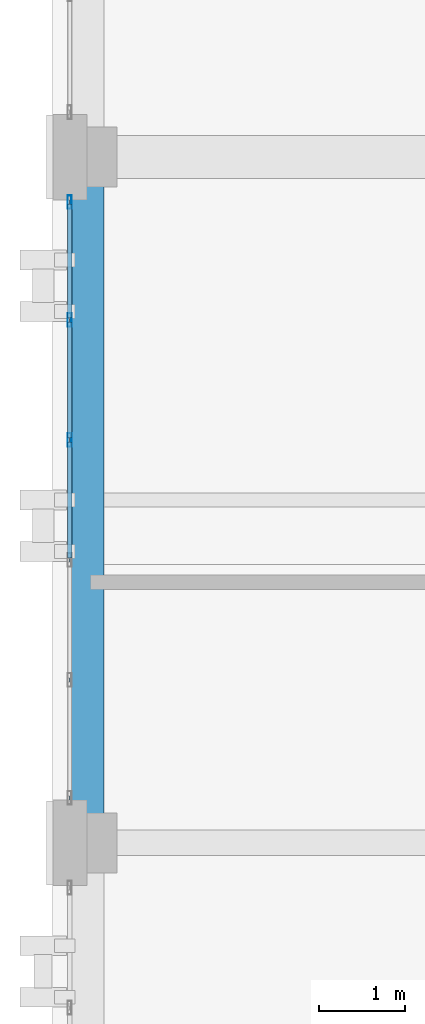
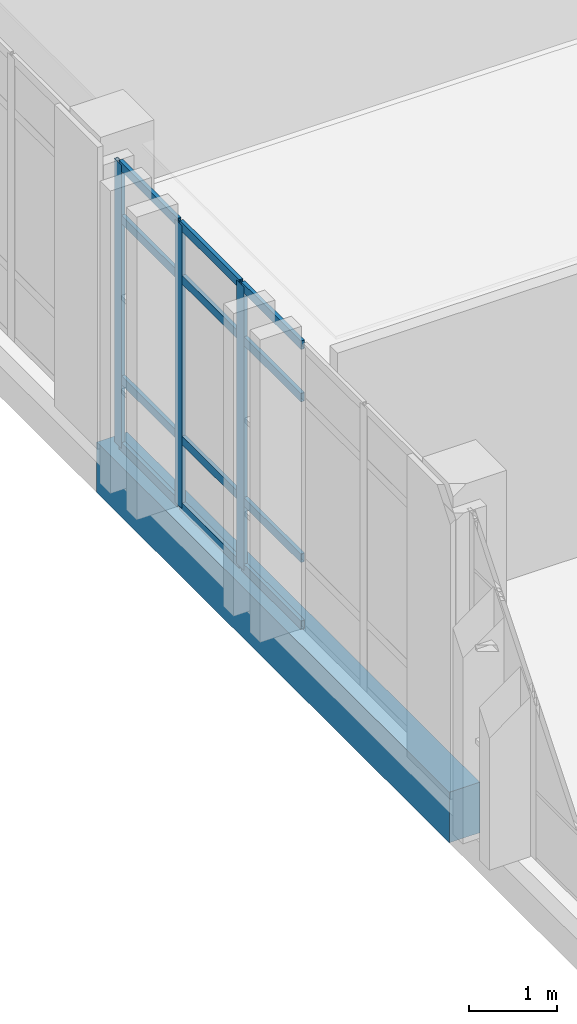
# One storey, part 33 of 158: 15 members, 1 beam, 1 element without a shape of its own.
"""IFC4 building model written with IfcOpenShell, lengths in metres."""

from ifc_helpers import new_model, si_unit, direction, frame, origin, origin_2d, place, context, subcontext, project, spatial, rectangle, hollow_rectangle, extrude, material, layer, layer_set, material_profile, profile_set, type_object, element, aggregate, save


model = new_model("IFC4")

# Units and contexts
model_context = context("Model", 3, precision=1e-05, world=origin(), true_north=direction((0.0, 1.0)))
body_context = subcontext(model_context, "Body", "Model", "MODEL_VIEW")
ifc_project = project(units=[si_unit("LENGTHUNIT", "METRE"), si_unit("AREAUNIT", "SQUARE_METRE"), si_unit("VOLUMEUNIT", "CUBIC_METRE"), si_unit("PLANEANGLEUNIT", "RADIAN"), si_unit("MASSUNIT", "GRAM", prefix="KILO")], contexts=[model_context])

# Site, building, storey
site_placement = place(None, origin())
site = spatial("IfcSite", under=ifc_project, at=site_placement, CompositionType="ELEMENT")
building_placement = place(site_placement, origin())
building = spatial("IfcBuilding", under=site, at=building_placement, Name="Qalavern Law Courts", CompositionType="ELEMENT")
storey_placement = place(building_placement, frame((0.0, 0.0, 18.60009765625)))
storey = spatial("IfcBuildingStorey", under=building, at=storey_placement, Name="L04", CompositionType="ELEMENT", Elevation=18.60009765625)

# Curtain wall, members
ifc_material_1 = material(Name="Anodised aluminium and insulated glazing", Category="aluminium")
ifc_layer = layer(ifc_material_1, 0.159912109375)
ifc_layer_set = layer_set([ifc_layer], Name="Anodised aluminium and insulated glazing")
curtain_wall_type = type_object("IfcCurtainWallType", Name="ENV-CW-CHAMB", PredefinedType="USERDEFINED", material=ifc_layer_set)
curtain_wall_placement = place(storey_placement, origin())
curtain_wall = element("IfcCurtainWall", 1, at=curtain_wall_placement, inside=storey, type_object=curtain_wall_type, Name="V3 unitised curtain wall L04 west 6", ObjectType="UNITISED CURTAIN WALL", PredefinedType="USERDEFINED")
ifc_material_2 = material(Name="Anodised aluminium", Category="aluminium")
ifc_material_profile_1 = material_profile(ifc_material_2, hollow_rectangle(XDim=0.048095703125, YDim=0.159912109375, WallThickness=0.00390625, at=origin_2d()), Name="ALU MULLION 48x160")
ifc_profile_set_1 = profile_set([ifc_material_profile_1], Name="Anodised aluminium")
member_type_1 = type_object("IfcMemberType", Name="ENV-CWM-48x160", PredefinedType="MULLION", material=ifc_profile_set_1)
member_1_placement = place(storey_placement, frame((2.199951171875, 56.8759765625, 0.0), z_axis=(0.0, 0.0, 1.0), x_axis=(1.0, 0.0, 0.0)))
member_1 = element("IfcMember", 2, at=member_1_placement, type_object=member_type_1, Name="CW-04 mullion 1", PredefinedType="MULLION", context=body_context, shape_type="SweptSolid", body=[
    extrude(hollow_rectangle(XDim=0.048095703125, YDim=0.159912109375, WallThickness=0.00390625, at=origin_2d()), origin(), (0.0, 0.0, 1.0), 3.9248046875),
])
member_2_placement = place(storey_placement, frame((2.199951171875, 55.5, 0.0), z_axis=(0.0, 0.0, 1.0), x_axis=(1.0, 0.0, 0.0)))
member_2 = element("IfcMember", 3, at=member_2_placement, type_object=member_type_1, Name="CW-04 mullion 2", PredefinedType="MULLION", context=body_context, shape_type="SweptSolid", body=[
    extrude(hollow_rectangle(XDim=0.048095703125, YDim=0.159912109375, WallThickness=0.00390625, at=origin_2d()), origin(), (0.0, 0.0, 1.0), 3.9248046875),
])
member_3_placement = place(storey_placement, frame((2.199951171875, 54.10009765625, 0.0), z_axis=(0.0, 0.0, 1.0), x_axis=(1.0, 0.0, 0.0)))
member_3 = element("IfcMember", 4, at=member_3_placement, type_object=member_type_1, Name="CW-04 mullion 3", PredefinedType="MULLION", context=body_context, shape_type="SweptSolid", body=[
    extrude(hollow_rectangle(XDim=0.048095703125, YDim=0.159912109375, WallThickness=0.00390625, at=origin_2d()), origin(), (0.0, 0.0, 1.0), 3.9248046875),
])
ifc_material_profile_2 = material_profile(ifc_material_2, hollow_rectangle(XDim=0.048095703125, YDim=0.1201171875, WallThickness=0.00390625, at=origin_2d()), Name="ALU TRANSOM 48x120")
ifc_profile_set_2 = profile_set([ifc_material_profile_2], Name="Anodised aluminium")
member_type_2 = type_object("IfcMemberType", Name="ENV-CWT-48x120", PredefinedType="USERDEFINED", material=ifc_profile_set_2)
member_4_placement = place(storey_placement, frame((2.199951171875, 56.85205078125, 0.02392578125), z_axis=(0.0, -1.0, 0.0), x_axis=(1.0, 0.0, 0.0)))
member_4 = element("IfcMember", 5, at=member_4_placement, type_object=member_type_2, Name="CW-04 transom 1.1", ObjectType="TRANSOM", PredefinedType="USERDEFINED", context=body_context, shape_type="SweptSolid", body=[
    extrude(hollow_rectangle(XDim=0.048095703125, YDim=0.1201171875, WallThickness=0.00390625, at=origin_2d()), origin(), (0.0, 0.0, 1.0), 1.328125),
])
member_5_placement = place(storey_placement, frame((2.199951171875, 56.85205078125, 0.949951171875), z_axis=(0.0, -1.0, 0.0), x_axis=(1.0, 0.0, 0.0)))
member_5 = element("IfcMember", 6, at=member_5_placement, type_object=member_type_2, Name="CW-04 transom 1.2", ObjectType="TRANSOM", PredefinedType="USERDEFINED", context=body_context, shape_type="SweptSolid", body=[
    extrude(hollow_rectangle(XDim=0.048095703125, YDim=0.1201171875, WallThickness=0.00390625, at=origin_2d()), origin(), (0.0, 0.0, 1.0), 1.328125),
])
member_6_placement = place(storey_placement, frame((2.199951171875, 56.85205078125, 3.1748046875), z_axis=(0.0, -1.0, 0.0), x_axis=(1.0, 0.0, 0.0)))
member_6 = element("IfcMember", 7, at=member_6_placement, type_object=member_type_2, Name="CW-04 transom 1.3", ObjectType="TRANSOM", PredefinedType="USERDEFINED", context=body_context, shape_type="SweptSolid", body=[
    extrude(hollow_rectangle(XDim=0.048095703125, YDim=0.1201171875, WallThickness=0.00390625, at=origin_2d()), origin(), (0.0, 0.0, 1.0), 1.328125),
])
member_7_placement = place(storey_placement, frame((2.199951171875, 56.85205078125, 3.90087890625), z_axis=(0.0, -1.0, 0.0), x_axis=(1.0, 0.0, 0.0)))
member_7 = element("IfcMember", 8, at=member_7_placement, type_object=member_type_2, Name="CW-04 transom 1.4", ObjectType="TRANSOM", PredefinedType="USERDEFINED", context=body_context, shape_type="SweptSolid", body=[
    extrude(hollow_rectangle(XDim=0.048095703125, YDim=0.1201171875, WallThickness=0.00390625, at=origin_2d()), origin(), (0.0, 0.0, 1.0), 1.328125),
])
member_8_placement = place(storey_placement, frame((2.199951171875, 55.47607421875, 0.02392578125), z_axis=(0.0, -1.0, 0.0), x_axis=(1.0, 0.0, 0.0)))
member_8 = element("IfcMember", 9, at=member_8_placement, type_object=member_type_2, Name="CW-04 transom 2.1", ObjectType="TRANSOM", PredefinedType="USERDEFINED", context=body_context, shape_type="SweptSolid", body=[
    extrude(hollow_rectangle(XDim=0.048095703125, YDim=0.1201171875, WallThickness=0.00390625, at=origin_2d()), origin(), (0.0, 0.0, 1.0), 1.35205078125),
])
member_9_placement = place(storey_placement, frame((2.199951171875, 55.47607421875, 0.949951171875), z_axis=(0.0, -1.0, 0.0), x_axis=(1.0, 0.0, 0.0)))
member_9 = element("IfcMember", 10, at=member_9_placement, type_object=member_type_2, Name="CW-04 transom 2.2", ObjectType="TRANSOM", PredefinedType="USERDEFINED", context=body_context, shape_type="SweptSolid", body=[
    extrude(hollow_rectangle(XDim=0.048095703125, YDim=0.1201171875, WallThickness=0.00390625, at=origin_2d()), origin(), (0.0, 0.0, 1.0), 1.35205078125),
])
member_10_placement = place(storey_placement, frame((2.199951171875, 55.47607421875, 3.1748046875), z_axis=(0.0, -1.0, 0.0), x_axis=(1.0, 0.0, 0.0)))
member_10 = element("IfcMember", 11, at=member_10_placement, type_object=member_type_2, Name="CW-04 transom 2.3", ObjectType="TRANSOM", PredefinedType="USERDEFINED", context=body_context, shape_type="SweptSolid", body=[
    extrude(hollow_rectangle(XDim=0.048095703125, YDim=0.1201171875, WallThickness=0.00390625, at=origin_2d()), origin(), (0.0, 0.0, 1.0), 1.35205078125),
])
member_11_placement = place(storey_placement, frame((2.199951171875, 55.47607421875, 3.90087890625), z_axis=(0.0, -1.0, 0.0), x_axis=(1.0, 0.0, 0.0)))
member_11 = element("IfcMember", 12, at=member_11_placement, type_object=member_type_2, Name="CW-04 transom 2.4", ObjectType="TRANSOM", PredefinedType="USERDEFINED", context=body_context, shape_type="SweptSolid", body=[
    extrude(hollow_rectangle(XDim=0.048095703125, YDim=0.1201171875, WallThickness=0.00390625, at=origin_2d()), origin(), (0.0, 0.0, 1.0), 1.35205078125),
])
member_12_placement = place(storey_placement, frame((2.199951171875, 54.075927734375, 0.02392578125), z_axis=(0.0, -1.0, 0.0), x_axis=(1.0, 0.0, 0.0)))
member_12 = element("IfcMember", 13, at=member_12_placement, type_object=member_type_2, Name="CW-04 transom 3.1", ObjectType="TRANSOM", PredefinedType="USERDEFINED", context=body_context, shape_type="SweptSolid", body=[
    extrude(hollow_rectangle(XDim=0.048095703125, YDim=0.1201171875, WallThickness=0.00390625, at=origin_2d()), origin(), (0.0, 0.0, 1.0), 1.351806640625),
])
member_13_placement = place(storey_placement, frame((2.199951171875, 54.075927734375, 0.949951171875), z_axis=(0.0, -1.0, 0.0), x_axis=(1.0, 0.0, 0.0)))
member_13 = element("IfcMember", 14, at=member_13_placement, type_object=member_type_2, Name="CW-04 transom 3.2", ObjectType="TRANSOM", PredefinedType="USERDEFINED", context=body_context, shape_type="SweptSolid", body=[
    extrude(hollow_rectangle(XDim=0.048095703125, YDim=0.1201171875, WallThickness=0.00390625, at=origin_2d()), origin(), (0.0, 0.0, 1.0), 1.351806640625),
])
member_14_placement = place(storey_placement, frame((2.199951171875, 54.075927734375, 3.1748046875), z_axis=(0.0, -1.0, 0.0), x_axis=(1.0, 0.0, 0.0)))
member_14 = element("IfcMember", 15, at=member_14_placement, type_object=member_type_2, Name="CW-04 transom 3.3", ObjectType="TRANSOM", PredefinedType="USERDEFINED", context=body_context, shape_type="SweptSolid", body=[
    extrude(hollow_rectangle(XDim=0.048095703125, YDim=0.1201171875, WallThickness=0.00390625, at=origin_2d()), origin(), (0.0, 0.0, 1.0), 1.351806640625),
])
member_15_placement = place(storey_placement, frame((2.199951171875, 54.075927734375, 3.90087890625), z_axis=(0.0, -1.0, 0.0), x_axis=(1.0, 0.0, 0.0)))
member_15 = element("IfcMember", 16, at=member_15_placement, type_object=member_type_2, Name="CW-04 transom 3.4", ObjectType="TRANSOM", PredefinedType="USERDEFINED", context=body_context, shape_type="SweptSolid", body=[
    extrude(hollow_rectangle(XDim=0.048095703125, YDim=0.1201171875, WallThickness=0.00390625, at=origin_2d()), origin(), (0.0, 0.0, 1.0), 1.351806640625),
])
aggregate(curtain_wall, [member_1, member_2, member_3, member_4, member_5, member_6, member_7, member_8, member_9, member_10, member_11, member_12, member_13, member_14, member_15])

# Beam
ifc_material_3 = material(Name="Concrete C40/50", Category="concrete")
ifc_material_profile_3 = material_profile(ifc_material_3, rectangle(XDim=0.39990234375, YDim=0.699951171875, at=origin_2d()), Name="RC 400x700")
ifc_profile_set_3 = profile_set([ifc_material_profile_3], Name="Concrete C40/50")
beam_type = type_object("IfcBeamType", Name="STR-SP-RC400x700", PredefinedType="SPANDREL", material=ifc_profile_set_3)
beam_placement = place(storey_placement, frame((2.39990234375, 49.39990234375, -0.630126953125), z_axis=(0.0, 1.0, 0.0), x_axis=(-1.0, 0.0, 0.0)))
element("IfcBeam", 17, at=beam_placement, inside=storey, type_object=beam_type, Name="V3 Y-beam 1-2 L04", PredefinedType="SPANDREL", context=body_context, shape_type="SweptSolid", body=[
    extrude(rectangle(XDim=0.39990234375, YDim=0.699951171875, at=origin_2d()), origin(), (0.0, 0.0, 1.0), 8.0),
])

save(model, "model.ifc")
